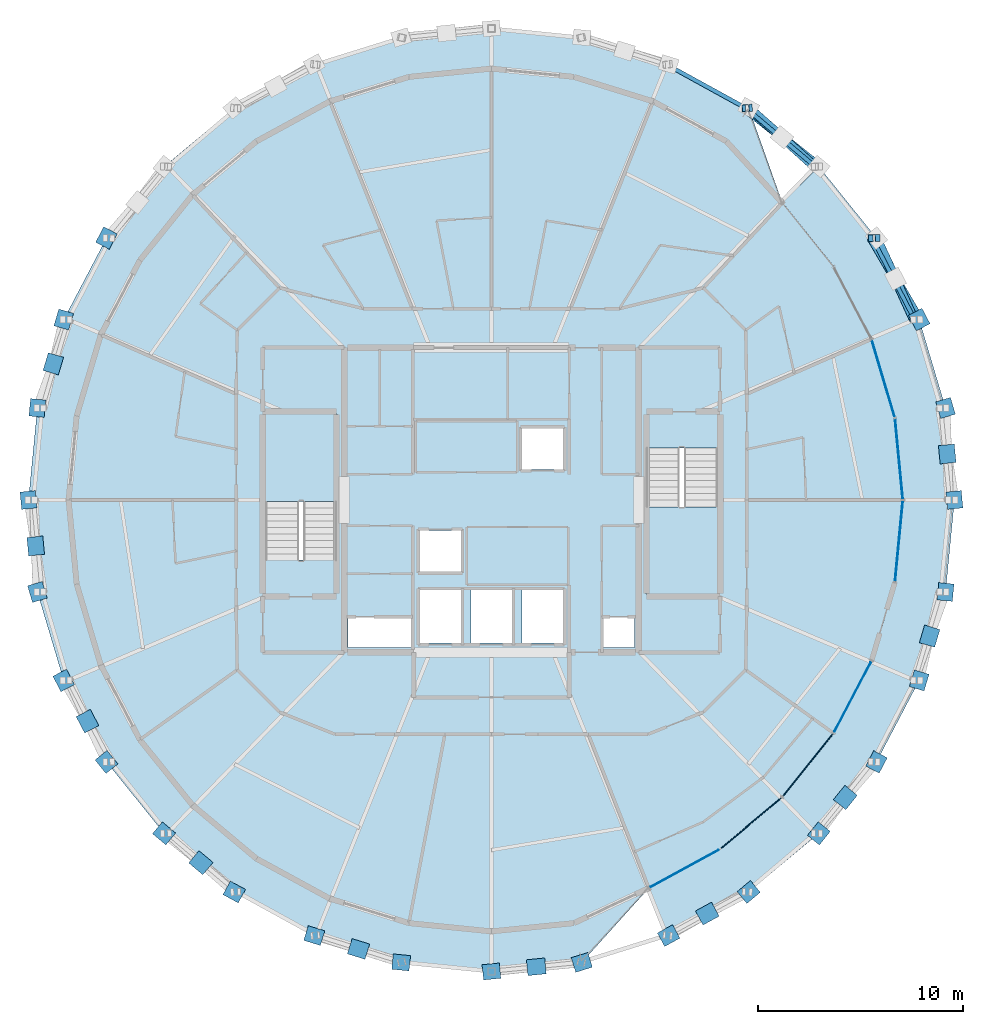
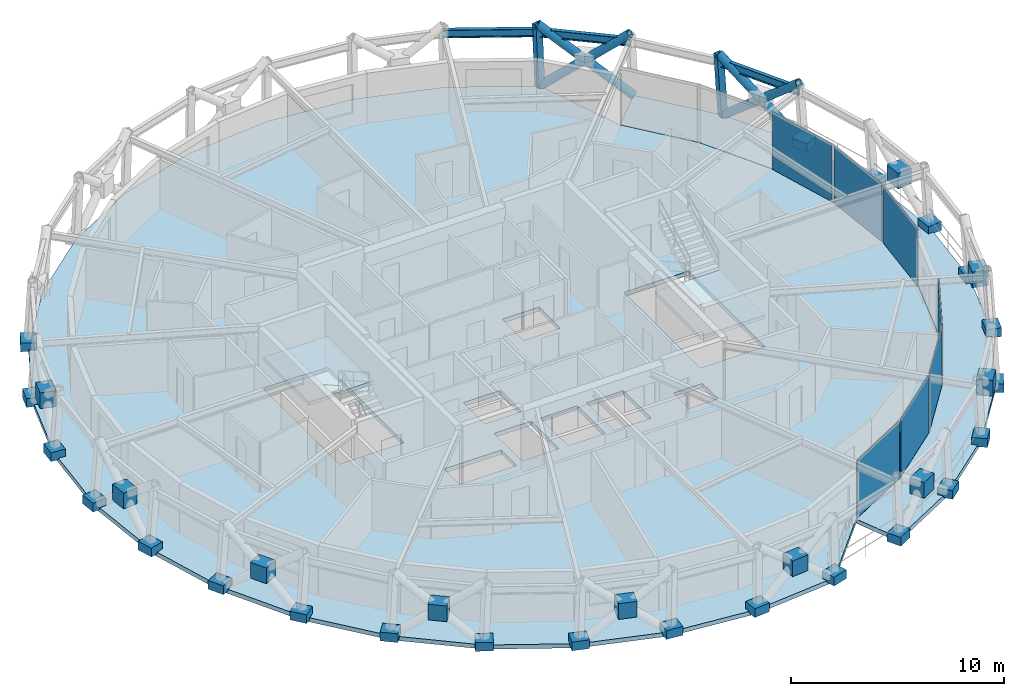
# One storey, part 9 of 15: 39 plates, 8 members, 4 slabs, 3 beams, 4 elements without a shape of their own.
"""IFC4 building model written with IfcOpenShell, lengths in metres."""

from ifc_helpers import new_model, si_unit, direction, frame, origin, origin_2d, place, context, subcontext, project, spatial, polyline, rectangle, hollow_rectangle, hollow_circle, i_section, outline, extrude, material, layer, layer_set, material_profile, profile_set, type_object, element, aggregate, save


model = new_model("IFC4")

# Units and contexts
model_context = context("Model", 3, precision=1e-05, world=origin(), true_north=direction((0.0, 1.0)))
body_context = subcontext(model_context, "Body", "Model", "MODEL_VIEW")
ifc_project = project(units=[si_unit("LENGTHUNIT", "METRE"), si_unit("AREAUNIT", "SQUARE_METRE"), si_unit("VOLUMEUNIT", "CUBIC_METRE"), si_unit("PLANEANGLEUNIT", "RADIAN"), si_unit("MASSUNIT", "GRAM", prefix="KILO")], contexts=[model_context])

# Site, building, storey
site_placement = place(None, origin())
site = spatial("IfcSite", under=ifc_project, at=site_placement, CompositionType="ELEMENT")
building_placement = place(site_placement, origin())
building = spatial("IfcBuilding", under=site, at=building_placement, Name="Veldorina Hangang Commons", CompositionType="ELEMENT")
storey_placement = place(building_placement, frame((0.0, 0.0, 254.39990234375)))
storey = spatial("IfcBuildingStorey", under=building, at=storey_placement, Name="L66", CompositionType="ELEMENT", Elevation=254.39990234375)

# Beams
ifc_material_1 = material(Name="Steel SM355-TMC", Category="steel")
ifc_material_profile_1 = material_profile(ifc_material_1, i_section(OverallWidth=0.199951171875, OverallDepth=0.449951171875, WebThickness=0.009033203125, FlangeThickness=0.013916015625, FilletRadius=0.01611328125, at=origin_2d()), Name="H-450x200x9x14")
ifc_profile_set_1 = profile_set([ifc_material_profile_1], Name="Steel SM355-TMC")
beam_type = type_object("IfcBeamType", Name="BM-RB450", PredefinedType="BEAM", material=ifc_profile_set_1)
beam_1_placement = place(storey_placement, frame((52.684326171875, 32.815185546875, 3.135009765625), z_axis=(-0.460999842905, 0.887400216836, 0.0), x_axis=(-0.887400216836, -0.460999842905, 0.0)))
element("IfcBeam", 1, at=beam_1_placement, inside=storey, type_object=beam_type, Name="L66 perimeter hoop ring beam 02", PredefinedType="BEAM", context=body_context, shape_type="SweptSolid", body=[
    extrude(i_section(OverallWidth=0.199951171875, OverallDepth=0.449951171875, WebThickness=0.009033203125, FlangeThickness=0.013916015625, FilletRadius=0.01611328125, at=origin_2d()), origin(), (0.0, 0.0, 1.0), 4.48779296875),
])
beam_2_placement = place(storey_placement, frame((47.8310546875, 40.2880859375, 3.135009765625), z_axis=(-0.764040756968, 0.645167979438, 0.0), x_axis=(-0.645167979438, -0.764040756968, 0.0)))
element("IfcBeam", 2, at=beam_2_placement, inside=storey, type_object=beam_type, Name="L66 perimeter hoop ring beam 04", PredefinedType="BEAM", context=body_context, shape_type="SweptSolid", body=[
    extrude(i_section(OverallWidth=0.199951171875, OverallDepth=0.449951171875, WebThickness=0.009033203125, FlangeThickness=0.013916015625, FilletRadius=0.01611328125, at=origin_2d()), origin(), (0.0, 0.0, 1.0), 4.4404296875),
])
beam_3_placement = place(storey_placement, frame((44.4384765625, 43.15283203125, 3.135009765625), z_axis=(-0.876245078273, 0.481865710341, 0.0), x_axis=(-0.481865710341, -0.876245078273, 0.0)))
element("IfcBeam", 3, at=beam_3_placement, inside=storey, type_object=beam_type, Name="L66 perimeter hoop ring beam 05", PredefinedType="BEAM", context=body_context, shape_type="SweptSolid", body=[
    extrude(i_section(OverallWidth=0.199951171875, OverallDepth=0.449951171875, WebThickness=0.009033203125, FlangeThickness=0.013916015625, FilletRadius=0.01611328125, at=origin_2d()), origin(), (0.0, 0.0, 1.0), 4.41748046875),
])

# Members
ifc_material_profile_2 = material_profile(ifc_material_1, hollow_circle(Radius=0.22509765625, WallThickness=0.02197265625, at=origin_2d()), Name="CHS-450x22")
ifc_profile_set_2 = profile_set([ifc_material_profile_2], Name="Steel SM355-TMC")
member_type_1 = type_object("IfcMemberType", Name="DG-CHS450", PredefinedType="BRACE", material=ifc_profile_set_2)
member_1_placement = place(storey_placement, frame((52.906982421875, 32.819091796875, 0.0), z_axis=(-0.397106825546, 0.680444299726, 0.615874763305), x_axis=(-0.863678901856, -0.504042413383, 0.0)))
element("IfcMember", 4, at=member_1_placement, inside=storey, type_object=member_type_1, Name="L66 continuous perimeter diagrid brace 02", PredefinedType="BRACE", context=body_context, shape_type="SweptSolid", body=[
    extrude(hollow_circle(Radius=0.22509765625, WallThickness=0.02197265625, at=origin_2d()), origin(), (0.0, 0.0, 1.0), 5.845458984375),
])
member_2_placement = place(storey_placement, frame((50.81591796875, 36.803466796875, 0.0), z_axis=(0.326638682091, -0.700847771615, 0.634128987182), x_axis=(0.90639297023, 0.422435537706, 0.0)))
element("IfcMember", 5, at=member_2_placement, inside=storey, type_object=member_type_1, Name="L66 split perimeter diagrid lower brace 03", PredefinedType="BRACE", context=body_context, shape_type="SweptSolid", body=[
    extrude(hollow_circle(Radius=0.22509765625, WallThickness=0.02197265625, at=origin_2d()), origin(), (0.0, 0.0, 1.0), 2.84326171875),
])
member_3_placement = place(storey_placement, frame((51.74462890625, 34.810791015625, 1.802978515625), z_axis=(0.319838101466, -0.704177747897, 0.633906371807), x_axis=(0.910484651203, 0.413542863467, 0.0)))
element("IfcMember", 6, at=member_3_placement, inside=storey, type_object=member_type_1, Name="L66 split perimeter diagrid upper brace 03", PredefinedType="BRACE", context=body_context, shape_type="SweptSolid", body=[
    extrude(hollow_circle(Radius=0.22509765625, WallThickness=0.02197265625, at=origin_2d()), origin(), (0.0, 0.0, 1.0), 2.8349609375),
])
member_4_placement = place(storey_placement, frame((48.00146484375, 40.295654296875, 0.0), z_axis=(-0.614860502863, 0.490128665246, 0.617835296437), x_axis=(-0.623329474414, -0.781959312449, 0.0)))
element("IfcMember", 7, at=member_4_placement, inside=storey, type_object=member_type_1, Name="L66 continuous perimeter diagrid brace 04", PredefinedType="BRACE", context=body_context, shape_type="SweptSolid", body=[
    extrude(hollow_circle(Radius=0.22509765625, WallThickness=0.02197265625, at=origin_2d()), origin(), (0.0, 0.0, 1.0), 5.826904296875),
])
member_5_placement = place(storey_placement, frame((44.572265625, 43.16162109375, 0.0), z_axis=(0.577486772224, -0.507213348213, 0.639721538876), x_axis=(0.659912681103, 0.751342301031, 0.0)))
element("IfcMember", 8, at=member_5_placement, inside=storey, type_object=member_type_1, Name="L66 split perimeter diagrid lower brace 05", PredefinedType="BRACE", context=body_context, shape_type="SweptSolid", body=[
    extrude(hollow_circle(Radius=0.22509765625, WallThickness=0.02197265625, at=origin_2d()), origin(), (0.0, 0.0, 1.0), 2.824462890625),
])
member_6_placement = place(storey_placement, frame((46.203369140625, 41.72900390625, 1.806884765625), z_axis=(0.571504831347, -0.514215041733, 0.639503806558), x_axis=(0.668864613544, 0.743384240315, 0.0)))
element("IfcMember", 9, at=member_6_placement, inside=storey, type_object=member_type_1, Name="L66 split perimeter diagrid upper brace 05", PredefinedType="BRACE", context=body_context, shape_type="SweptSolid", body=[
    extrude(hollow_circle(Radius=0.22509765625, WallThickness=0.02197265625, at=origin_2d()), origin(), (0.0, 0.0, 1.0), 2.803955078125),
])
ifc_material_profile_3 = material_profile(ifc_material_1, hollow_rectangle(XDim=0.35009765625, YDim=0.35009765625, WallThickness=0.01611328125, at=origin_2d()), Name="SHS-350x350x16")
ifc_profile_set_3 = profile_set([ifc_material_profile_3], Name="Steel SM355-TMC")
member_type_2 = type_object("IfcMemberType", Name="STR-SHS350", PredefinedType="STRUT", material=ifc_profile_set_3)
member_7_placement = place(storey_placement, frame((50.81591796875, 36.803466796875, 0.0), z_axis=(-0.063819068512, -0.001894945831, 0.997959686398), x_axis=(0.029679390409, -0.999559469859, 0.0)))
element("IfcMember", 10, at=member_7_placement, inside=storey, type_object=member_type_2, Name="L66 perimeter ring node post 03", PredefinedType="STRUT", context=body_context, shape_type="SweptSolid", body=[
    extrude(hollow_rectangle(XDim=0.35009765625, YDim=0.35009765625, WallThickness=0.01611328125, at=origin_2d()), origin(), (0.0, 0.0, 1.0), 3.607421875),
])
member_8_placement = place(storey_placement, frame((44.572265625, 43.16162109375, 0.0), z_axis=(-0.04261671784, -0.002777878269, 0.99908763317), x_axis=(0.065044795148, -0.997882345081, 0.0)))
element("IfcMember", 11, at=member_8_placement, inside=storey, type_object=member_type_2, Name="L66 perimeter ring node post 05", PredefinedType="STRUT", context=body_context, shape_type="SweptSolid", body=[
    extrude(hollow_rectangle(XDim=0.35009765625, YDim=0.35009765625, WallThickness=0.01611328125, at=origin_2d()), origin(), (0.0, 0.0, 1.0), 3.603271484375),
])

# Curtain wall, plates
ifc_material_2 = material(Name="Glass Low-E Selective", Category="glass")
ifc_layer_1 = layer(ifc_material_2, 0.179931640625)
ifc_layer_set_1 = layer_set([ifc_layer_1], Name="Glass Low-E Selective")
curtain_wall_type = type_object("IfcCurtainWallType", Name="CW-SYS-Z3", PredefinedType="NOTDEFINED", material=ifc_layer_set_1)
curtain_wall_1_placement = place(storey_placement, origin())
curtain_wall_1 = element("IfcCurtainWall", 12, at=curtain_wall_1_placement, inside=storey, type_object=curtain_wall_type, Name="L66 unitised curtain wall CW-L66-R1", PredefinedType="NOTDEFINED")
ifc_material_3 = material(Name="Glass Low-E Triple IGU", Category="glass")
ifc_layer_2 = layer(ifc_material_3, 0.0400390625)
ifc_layer_set_2 = layer_set([ifc_layer_2], Name="Glass Low-E Triple IGU")
plate_type_1 = type_object("IfcPlateType", Name="CW-PNL-VIS", PredefinedType="CURTAIN_PANEL", material=ifc_layer_set_2)
plate_1_placement = place(storey_placement, frame((41.433837890625, 5.9853515625, 0.01513671875), z_axis=(0.0, 0.0, 1.0), x_axis=(0.877849265212, 0.478937018372, 0.0)))
plate_1 = element("IfcPlate", 13, at=plate_1_placement, type_object=plate_type_1, Name="CW-L66-R1 facet 1 glazed vision panel", PredefinedType="CURTAIN_PANEL", context=body_context, shape_type="SweptSolid", body=[
    extrude(rectangle(XDim=3.780517578125, YDim=0.0400390625, at=origin_2d()), origin(), (0.0, 0.0, 1.0), 3.2900390625),
])
plate_2_placement = place(storey_placement, frame((44.69580078125, 8.2099609375, 0.01513671875), z_axis=(0.0, 0.0, 1.0), x_axis=(0.766582674725, 0.642145624303, 0.0)))
plate_2 = element("IfcPlate", 14, at=plate_2_placement, type_object=plate_type_1, Name="CW-L66-R1 facet 2 glazed vision panel", PredefinedType="CURTAIN_PANEL", context=body_context, shape_type="SweptSolid", body=[
    extrude(rectangle(XDim=3.795166015625, YDim=0.0400390625, at=origin_2d()), origin(), (0.0, 0.0, 1.0), 3.2900390625),
])
plate_3_placement = place(storey_placement, frame((47.47021484375, 11.04150390625, 0.01513671875), z_axis=(0.0, 0.0, 1.0), x_axis=(0.62663101501, 0.779316091857, 0.0)))
plate_3 = element("IfcPlate", 15, at=plate_3_placement, type_object=plate_type_1, Name="CW-L66-R1 facet 3 glazed vision panel", PredefinedType="CURTAIN_PANEL", context=body_context, shape_type="SweptSolid", body=[
    extrude(rectangle(XDim=3.81103515625, YDim=0.0400390625, at=origin_2d()), origin(), (0.0, 0.0, 1.0), 3.2900390625),
])
plate_4_placement = place(storey_placement, frame((49.649658203125, 14.370849609375, 0.01513671875), z_axis=(0.0, 0.0, 1.0), x_axis=(0.463914608979, 0.885879921646, 0.0)))
plate_4 = element("IfcPlate", 16, at=plate_4_placement, type_object=plate_type_1, Name="CW-L66-R1 facet 4 glazed vision panel", PredefinedType="CURTAIN_PANEL", context=body_context, shape_type="SweptSolid", body=[
    extrude(rectangle(XDim=3.82568359375, YDim=0.0400390625, at=origin_2d()), origin(), (0.0, 0.0, 1.0), 3.2900390625),
])
aggregate(curtain_wall_1, [plate_1, plate_2, plate_3, plate_4])

curtain_wall_2_placement = place(storey_placement, origin())
curtain_wall_2 = element("IfcCurtainWall", 17, at=curtain_wall_2_placement, inside=storey, type_object=curtain_wall_type, Name="L66 unitised curtain wall CW-L66-R2", PredefinedType="NOTDEFINED")
plate_5_placement = place(storey_placement, frame((51.91650390625, 21.997802734375, 0.01513671875), z_axis=(0.0, 0.0, 1.0), x_axis=(0.096054225709, 0.995376102648, 0.0)))
plate_5 = element("IfcPlate", 18, at=plate_5_placement, type_object=plate_type_1, Name="CW-L66-R2 facet 1 glazed vision panel", PredefinedType="CURTAIN_PANEL", context=body_context, shape_type="SweptSolid", body=[
    extrude(rectangle(XDim=3.843017578125, YDim=0.0400390625, at=origin_2d()), origin(), (0.0, 0.0, 1.0), 3.2900390625),
])
plate_6_placement = place(storey_placement, frame((51.91650390625, 26.002197265625, 0.01513671875), z_axis=(0.0, 0.0, 1.0), x_axis=(-0.096054225709, 0.995376102648, 0.0)))
plate_6 = element("IfcPlate", 19, at=plate_6_placement, type_object=plate_type_1, Name="CW-L66-R2 facet 2 glazed vision panel", PredefinedType="CURTAIN_PANEL", context=body_context, shape_type="SweptSolid", body=[
    extrude(rectangle(XDim=3.843017578125, YDim=0.0400390625, at=origin_2d()), origin(), (0.0, 0.0, 1.0), 3.2900390625),
])
plate_7_placement = place(storey_placement, frame((51.15087890625, 29.929443359375, 0.01513671875), z_axis=(0.0, 0.0, 1.0), x_axis=(-0.284885424803, 0.95856157587, 0.0)))
plate_7 = element("IfcPlate", 20, at=plate_7_placement, type_object=plate_type_1, Name="CW-L66-R2 facet 3 glazed vision panel", PredefinedType="CURTAIN_PANEL", context=body_context, shape_type="SweptSolid", body=[
    extrude(rectangle(XDim=3.8369140625, YDim=0.0400390625, at=origin_2d()), origin(), (0.0, 0.0, 1.0), 3.2900390625),
])
aggregate(curtain_wall_2, [plate_5, plate_6, plate_7])

# Plates
ifc_material_4 = material(Name="Steel SM460-TMC", Category="steel")
ifc_layer_3 = layer(ifc_material_4, 0.035888671875)
ifc_layer_set_3 = layer_set([ifc_layer_3], Name="Steel SM460-TMC")
plate_type_2 = type_object("IfcPlateType", Name="PL-STAR-36", PredefinedType="USERDEFINED", material=ifc_layer_set_3)
plate_8_placement = place(storey_placement, frame((54.629638671875, 24.0, -0.08984375), z_axis=(0.0, 0.0, 1.0), x_axis=(-0.096262694684, 0.995355963267, 0.0)))
element("IfcPlate", 21, at=plate_8_placement, inside=storey, type_object=plate_type_2, Name="L66 diagrid star-node gusset plate 00", ObjectType="GUSSET PLATE", PredefinedType="USERDEFINED", context=body_context, shape_type="SweptSolid", body=[
    extrude(rectangle(XDim=0.85009765625, YDim=0.75, at=origin_2d()), origin(), (0.0, 0.0, 1.0), 0.5),
])
plate_9_placement = place(storey_placement, frame((54.2763671875, 26.24755859375, 1.350830078125), z_axis=(0.0, 0.0, 1.0), x_axis=(-0.096262694684, 0.995355963267, 0.0)))
element("IfcPlate", 22, at=plate_9_placement, inside=storey, type_object=plate_type_2, Name="L66 diagrid X-crossing star-node gusset plate 00", ObjectType="GUSSET PLATE", PredefinedType="USERDEFINED", context=body_context, shape_type="SweptSolid", body=[
    extrude(rectangle(XDim=0.89990234375, YDim=0.780029296875, at=origin_2d()), origin(), (0.0, 0.0, 1.0), 0.89990234375),
])
for number, where, z_axis, x_axis, name in (
    (23, (54.19482421875, 28.49609375, -0.08984375), (0.0, 0.0, 1.0), (-0.28548765053, 0.958382387878, 0.0), "L66 diagrid star-node gusset plate 01"),
    (24, (52.906982421875, 32.819091796875, -0.08984375), (0.0, 0.0, 1.0), (-0.464733871018, 0.885450410316, 0.0), "L66 diagrid star-node gusset plate 02"),
    (25, (13.18408203125, 36.803466796875, -0.08984375), (0.0, 0.0, 1.0), (-0.464733871018, -0.885450410316, 0.0), "L66 diagrid star-node gusset plate 13"),
    (26, (11.093017578125, 32.819091796875, -0.08984375), (0.0, 0.0, 1.0), (-0.28548765053, -0.958382387878, 0.0), "L66 diagrid star-node gusset plate 14"),
):
    element("IfcPlate", number, at=place(storey_placement, frame(where, z_axis=z_axis, x_axis=x_axis)), inside=storey, type_object=plate_type_2, Name=name, ObjectType="GUSSET PLATE", PredefinedType="USERDEFINED", context=body_context, shape_type="SweptSolid", body=[
        extrude(rectangle(XDim=0.85009765625, YDim=0.75, at=origin_2d()), origin(), (0.0, 0.0, 1.0), 0.5),
    ])
plate_10_placement = place(storey_placement, frame((10.58447265625, 30.65478515625, 1.3515625), z_axis=(0.0, 0.0, 1.0), x_axis=(-0.28548765053, -0.958382387878, 0.0)))
element("IfcPlate", 27, at=plate_10_placement, inside=storey, type_object=plate_type_2, Name="L66 diagrid X-crossing star-node gusset plate 14", ObjectType="GUSSET PLATE", PredefinedType="USERDEFINED", context=body_context, shape_type="SweptSolid", body=[
    extrude(rectangle(XDim=0.89990234375, YDim=0.780029296875, at=origin_2d()), origin(), (0.0, 0.0, 1.0), 0.89990234375),
])
for number, where, z_axis, x_axis, name in (
    (28, (9.80517578125, 28.49609375, -0.08984375), (0.0, 0.0, 1.0), (-0.096262694684, -0.995355963267, 0.0), "L66 diagrid star-node gusset plate 15"),
    (29, (9.370361328125, 24.0, -0.08984375), (0.0, 0.0, 1.0), (0.096262694684, -0.995355963267, 0.0), "L66 diagrid star-node gusset plate 16"),
):
    element("IfcPlate", number, at=place(storey_placement, frame(where, z_axis=z_axis, x_axis=x_axis)), inside=storey, type_object=plate_type_2, Name=name, ObjectType="GUSSET PLATE", PredefinedType="USERDEFINED", context=body_context, shape_type="SweptSolid", body=[
        extrude(rectangle(XDim=0.85009765625, YDim=0.75, at=origin_2d()), origin(), (0.0, 0.0, 1.0), 0.5),
    ])
plate_11_placement = place(storey_placement, frame((9.7236328125, 21.75244140625, 1.350830078125), z_axis=(0.0, 0.0, 1.0), x_axis=(0.096262694684, -0.995355963267, 0.0)))
element("IfcPlate", 30, at=plate_11_placement, inside=storey, type_object=plate_type_2, Name="L66 diagrid X-crossing star-node gusset plate 16", ObjectType="GUSSET PLATE", PredefinedType="USERDEFINED", context=body_context, shape_type="SweptSolid", body=[
    extrude(rectangle(XDim=0.89990234375, YDim=0.780029296875, at=origin_2d()), origin(), (0.0, 0.0, 1.0), 0.89990234375),
])
for number, where, z_axis, x_axis, name in (
    (31, (9.80517578125, 19.50390625, -0.08984375), (0.0, 0.0, 1.0), (0.28548765053, -0.958382387878, 0.0), "L66 diagrid star-node gusset plate 17"),
    (32, (11.093017578125, 15.180908203125, -0.08984375), (0.0, 0.0, 1.0), (0.464733871018, -0.885450410316, 0.0), "L66 diagrid star-node gusset plate 18"),
):
    element("IfcPlate", number, at=place(storey_placement, frame(where, z_axis=z_axis, x_axis=x_axis)), inside=storey, type_object=plate_type_2, Name=name, ObjectType="GUSSET PLATE", PredefinedType="USERDEFINED", context=body_context, shape_type="SweptSolid", body=[
        extrude(rectangle(XDim=0.85009765625, YDim=0.75, at=origin_2d()), origin(), (0.0, 0.0, 1.0), 0.5),
    ])
plate_12_placement = place(storey_placement, frame((12.25537109375, 13.189208984375, 1.35302734375), z_axis=(0.0, 0.0, 1.0), x_axis=(0.464733871018, -0.885450410316, 0.0)))
element("IfcPlate", 33, at=plate_12_placement, inside=storey, type_object=plate_type_2, Name="L66 diagrid X-crossing star-node gusset plate 18", ObjectType="GUSSET PLATE", PredefinedType="USERDEFINED", context=body_context, shape_type="SweptSolid", body=[
    extrude(rectangle(XDim=0.89990234375, YDim=0.780029296875, at=origin_2d()), origin(), (0.0, 0.0, 1.0), 0.89990234375),
])
for number, where, z_axis, x_axis, name in (
    (34, (13.18408203125, 11.196533203125, -0.08984375), (0.0, 0.0, 1.0), (0.627487538828, -0.778626604102, 0.0), "L66 diagrid star-node gusset plate 19"),
    (35, (15.99853515625, 7.704345703125, -0.08984375), (0.0, 0.0, 1.0), (0.767299479885, -0.641288942808, 0.0), "L66 diagrid star-node gusset plate 20"),
):
    element("IfcPlate", number, at=place(storey_placement, frame(where, z_axis=z_axis, x_axis=x_axis)), inside=storey, type_object=plate_type_2, Name=name, ObjectType="GUSSET PLATE", PredefinedType="USERDEFINED", context=body_context, shape_type="SweptSolid", body=[
        extrude(rectangle(XDim=0.85009765625, YDim=0.75, at=origin_2d()), origin(), (0.0, 0.0, 1.0), 0.5),
    ])
plate_13_placement = place(storey_placement, frame((17.796630859375, 6.27099609375, 1.35693359375), z_axis=(0.0, 0.0, 1.0), x_axis=(0.767299479885, -0.641288942808, 0.0)))
element("IfcPlate", 36, at=plate_13_placement, inside=storey, type_object=plate_type_2, Name="L66 diagrid X-crossing star-node gusset plate 20", ObjectType="GUSSET PLATE", PredefinedType="USERDEFINED", context=body_context, shape_type="SweptSolid", body=[
    extrude(rectangle(XDim=0.89990234375, YDim=0.780029296875, at=origin_2d()), origin(), (0.0, 0.0, 1.0), 0.89990234375),
])
for number, where, z_axis, x_axis, name in (
    (37, (19.427734375, 4.83837890625, -0.08984375), (0.0, 0.0, 1.0), (0.878300262769, -0.478109452342, 0.0), "L66 diagrid star-node gusset plate 21"),
    (38, (23.340087890625, 2.708740234375, -0.08984375), (0.0, 0.0, 1.0), (0.955448519277, -0.295157800188, 0.0), "L66 diagrid star-node gusset plate 22"),
):
    element("IfcPlate", number, at=place(storey_placement, frame(where, z_axis=z_axis, x_axis=x_axis)), inside=storey, type_object=plate_type_2, Name=name, ObjectType="GUSSET PLATE", PredefinedType="USERDEFINED", context=body_context, shape_type="SweptSolid", body=[
        extrude(rectangle(XDim=0.85009765625, YDim=0.75, at=origin_2d()), origin(), (0.0, 0.0, 1.0), 0.5),
    ])
plate_14_placement = place(storey_placement, frame((25.501708984375, 2.055419921875, 1.3603515625), z_axis=(0.0, 0.0, 1.0), x_axis=(0.955448519277, -0.295157800188, 0.0)))
element("IfcPlate", 39, at=plate_14_placement, inside=storey, type_object=plate_type_2, Name="L66 diagrid X-crossing star-node gusset plate 22", ObjectType="GUSSET PLATE", PredefinedType="USERDEFINED", context=body_context, shape_type="SweptSolid", body=[
    extrude(rectangle(XDim=0.89990234375, YDim=0.780029296875, at=origin_2d()), origin(), (0.0, 0.0, 1.0), 0.89990234375),
])
for number, where, z_axis, x_axis, name in (
    (40, (27.585205078125, 1.397216796875, -0.08984375), (0.0, 0.0, 1.0), (0.995006914357, -0.099806013751, 0.0), "L66 diagrid star-node gusset plate 23"),
    (41, (32.0, 0.95458984375, -0.08984375), (0.0, 0.0, 1.0), (0.995006914357, 0.099806013751, 0.0), "L66 diagrid star-node gusset plate 24"),
):
    element("IfcPlate", number, at=place(storey_placement, frame(where, z_axis=z_axis, x_axis=x_axis)), inside=storey, type_object=plate_type_2, Name=name, ObjectType="GUSSET PLATE", PredefinedType="USERDEFINED", context=body_context, shape_type="SweptSolid", body=[
        extrude(rectangle(XDim=0.85009765625, YDim=0.75, at=origin_2d()), origin(), (0.0, 0.0, 1.0), 0.5),
    ])
plate_15_placement = place(storey_placement, frame((34.193603515625, 1.183349609375, 1.361083984375), z_axis=(0.0, 0.0, 1.0), x_axis=(0.995006914357, 0.099806013751, 0.0)))
element("IfcPlate", 42, at=plate_15_placement, inside=storey, type_object=plate_type_2, Name="L66 diagrid X-crossing star-node gusset plate 24", ObjectType="GUSSET PLATE", PredefinedType="USERDEFINED", context=body_context, shape_type="SweptSolid", body=[
    extrude(rectangle(XDim=0.89990234375, YDim=0.780029296875, at=origin_2d()), origin(), (0.0, 0.0, 1.0), 0.89990234375),
])
for number, where, z_axis, x_axis, name in (
    (43, (36.414794921875, 1.397216796875, -0.08984375), (0.0, 0.0, 1.0), (0.955448519277, 0.295157800188, 0.0), "L66 diagrid star-node gusset plate 25"),
    (44, (40.659912109375, 2.708740234375, -0.08984375), (0.0, 0.0, 1.0), (0.878300262769, 0.478109452342, 0.0), "L66 diagrid star-node gusset plate 26"),
):
    element("IfcPlate", number, at=place(storey_placement, frame(where, z_axis=z_axis, x_axis=x_axis)), inside=storey, type_object=plate_type_2, Name=name, ObjectType="GUSSET PLATE", PredefinedType="USERDEFINED", context=body_context, shape_type="SweptSolid", body=[
        extrude(rectangle(XDim=0.85009765625, YDim=0.75, at=origin_2d()), origin(), (0.0, 0.0, 1.0), 0.5),
    ])
plate_16_placement = place(storey_placement, frame((42.54833984375, 3.78369140625, 1.358642578125), z_axis=(0.0, 0.0, 1.0), x_axis=(0.878300262769, 0.478109452342, 0.0)))
element("IfcPlate", 45, at=plate_16_placement, inside=storey, type_object=plate_type_2, Name="L66 diagrid X-crossing star-node gusset plate 26", ObjectType="GUSSET PLATE", PredefinedType="USERDEFINED", context=body_context, shape_type="SweptSolid", body=[
    extrude(rectangle(XDim=0.89990234375, YDim=0.780029296875, at=origin_2d()), origin(), (0.0, 0.0, 1.0), 0.89990234375),
])
for number, where, z_axis, x_axis, name in (
    (46, (44.572265625, 4.83837890625, -0.08984375), (0.0, 0.0, 1.0), (0.767299479885, 0.641288942808, 0.0), "L66 diagrid star-node gusset plate 27"),
    (47, (48.00146484375, 7.704345703125, -0.08984375), (0.0, 0.0, 1.0), (0.627487538828, 0.778626604102, 0.0), "L66 diagrid star-node gusset plate 28"),
):
    element("IfcPlate", number, at=place(storey_placement, frame(where, z_axis=z_axis, x_axis=x_axis)), inside=storey, type_object=plate_type_2, Name=name, ObjectType="GUSSET PLATE", PredefinedType="USERDEFINED", context=body_context, shape_type="SweptSolid", body=[
        extrude(rectangle(XDim=0.85009765625, YDim=0.75, at=origin_2d()), origin(), (0.0, 0.0, 1.0), 0.5),
    ])
plate_17_placement = place(storey_placement, frame((49.296875, 9.45849609375, 1.354736328125), z_axis=(0.0, 0.0, 1.0), x_axis=(0.627487538828, 0.778626604102, 0.0)))
element("IfcPlate", 48, at=plate_17_placement, inside=storey, type_object=plate_type_2, Name="L66 diagrid X-crossing star-node gusset plate 28", ObjectType="GUSSET PLATE", PredefinedType="USERDEFINED", context=body_context, shape_type="SweptSolid", body=[
    extrude(rectangle(XDim=0.89990234375, YDim=0.780029296875, at=origin_2d()), origin(), (0.0, 0.0, 1.0), 0.89990234375),
])
for number, where, z_axis, x_axis, name in (
    (49, (50.81591796875, 11.196533203125, -0.08984375), (0.0, 0.0, 1.0), (0.464733871018, 0.885450410316, 0.0), "L66 diagrid star-node gusset plate 29"),
    (50, (52.906982421875, 15.180908203125, -0.08984375), (0.0, 0.0, 1.0), (0.28548765053, 0.958382387878, 0.0), "L66 diagrid star-node gusset plate 30"),
):
    element("IfcPlate", number, at=place(storey_placement, frame(where, z_axis=z_axis, x_axis=x_axis)), inside=storey, type_object=plate_type_2, Name=name, ObjectType="GUSSET PLATE", PredefinedType="USERDEFINED", context=body_context, shape_type="SweptSolid", body=[
        extrude(rectangle(XDim=0.85009765625, YDim=0.75, at=origin_2d()), origin(), (0.0, 0.0, 1.0), 0.5),
    ])
plate_18_placement = place(storey_placement, frame((53.41552734375, 17.34521484375, 1.3515625), z_axis=(0.0, 0.0, 1.0), x_axis=(0.28548765053, 0.958382387878, 0.0)))
element("IfcPlate", 51, at=plate_18_placement, inside=storey, type_object=plate_type_2, Name="L66 diagrid X-crossing star-node gusset plate 30", ObjectType="GUSSET PLATE", PredefinedType="USERDEFINED", context=body_context, shape_type="SweptSolid", body=[
    extrude(rectangle(XDim=0.89990234375, YDim=0.780029296875, at=origin_2d()), origin(), (0.0, 0.0, 1.0), 0.89990234375),
])
plate_19_placement = place(storey_placement, frame((54.19482421875, 19.50390625, -0.08984375), z_axis=(0.0, 0.0, 1.0), x_axis=(0.096262694684, 0.995355963267, 0.0)))
element("IfcPlate", 52, at=plate_19_placement, inside=storey, type_object=plate_type_2, Name="L66 diagrid star-node gusset plate 31", ObjectType="GUSSET PLATE", PredefinedType="USERDEFINED", context=body_context, shape_type="SweptSolid", body=[
    extrude(rectangle(XDim=0.85009765625, YDim=0.75, at=origin_2d()), origin(), (0.0, 0.0, 1.0), 0.5),
])

# Slabs
ifc_material_5 = material(Name="Concrete C40/50", Category="concrete")
ifc_layer_4 = layer(ifc_material_5, 0.239990234375)
ifc_layer_set_4 = layer_set([ifc_layer_4], Name="Concrete C40/50")
slab_type_1 = type_object("IfcSlabType", Name="SL-FLR-240", PredefinedType="FLOOR", material=ifc_layer_set_4)
slab_1_placement = place(storey_placement, frame((0.0, 0.0, -0.239990234375)))
element("IfcSlab", 53, at=slab_1_placement, inside=storey, type_object=slab_type_1, Name="L66 tower structural floor slab", PredefinedType="FLOOR", context=body_context, shape_type="SweptSolid", body=[
    extrude(outline(polyline([(52.109619140625, 24.0), (51.72314453125, 28.00439453125), (50.578857421875, 31.854736328125), (48.720458984375, 35.4033203125), (46.219482421875, 38.513671875), (44.572265625, 43.16162109375), (40.659912109375, 45.291259765625), (36.414794921875, 46.602783203125), (32.0, 47.04541015625), (27.585205078125, 46.602783203125), (23.340087890625, 45.291259765625), (19.427734375, 43.16162109375), (15.99853515625, 40.295654296875), (13.18408203125, 36.803466796875), (11.093017578125, 32.819091796875), (9.80517578125, 28.49609375), (9.370361328125, 24.0), (9.80517578125, 19.50390625), (11.093017578125, 15.180908203125), (13.18408203125, 11.196533203125), (15.99853515625, 7.704345703125), (19.427734375, 4.83837890625), (23.340087890625, 2.708740234375), (27.585205078125, 1.397216796875), (32.0, 0.95458984375), (36.414794921875, 1.397216796875), (39.695556640625, 5.036865234375), (43.17236328125, 6.93359375), (46.219482421875, 9.486328125), (48.720458984375, 12.5966796875), (50.578857421875, 16.145263671875), (51.72314453125, 19.99560546875), (52.109619140625, 24.0)]), holes=[polyline([(20.949951171875, 21.05810546875), (20.949951171875, 28.199951171875), (24.449951171875, 28.199951171875), (24.449951171875, 21.05810546875), (20.949951171875, 21.05810546875)]), polyline([(43.050048828125, 26.5419921875), (43.050048828125, 19.39990234375), (39.550048828125, 19.39990234375), (39.550048828125, 26.5419921875), (43.050048828125, 26.5419921875)]), polyline([(33.5, 27.5), (35.5, 27.5), (35.5, 25.5), (33.5, 25.5), (33.5, 27.5)]), polyline([(28.5, 22.5), (30.5, 22.5), (30.5, 20.5), (28.5, 20.5), (28.5, 22.5)]), polyline([(28.5, 19.60009765625), (30.5, 19.60009765625), (30.5, 17.0), (28.5, 17.0), (28.5, 19.60009765625)]), polyline([(31.0, 19.60009765625), (33.0, 19.60009765625), (33.0, 17.0), (31.0, 17.0), (31.0, 19.60009765625)]), polyline([(33.5, 19.60009765625), (35.5, 19.60009765625), (35.5, 17.0), (33.5, 17.0), (33.5, 19.60009765625)]), polyline([(25.0, 18.25), (28.10009765625, 18.25), (28.10009765625, 16.800048828125), (25.0, 16.800048828125), (25.0, 18.25)]), polyline([(37.449951171875, 18.25), (39.0, 18.25), (39.0, 16.800048828125), (37.449951171875, 16.800048828125), (37.449951171875, 18.25)])]), origin(), (0.0, 0.0, 1.0), 0.239990234375),
])
slab_2_placement = place(storey_placement, frame((0.0, 0.0, -0.239990234375)))
element("IfcSlab", 54, at=slab_2_placement, inside=storey, type_object=slab_type_1, Name="L66 sky-garden loggia outdoor slab", PredefinedType="FLOOR", context=body_context, shape_type="SweptSolid", body=[
    extrude(outline(polyline([(48.00146484375, 40.295654296875), (50.81591796875, 36.803466796875), (52.906982421875, 32.819091796875), (54.19482421875, 28.49609375), (54.629638671875, 24.0), (54.19482421875, 19.50390625), (52.906982421875, 15.180908203125), (50.81591796875, 11.196533203125), (48.00146484375, 7.704345703125), (44.572265625, 4.83837890625), (40.659912109375, 2.708740234375), (39.701904296875, 5.021484375), (39.705078125, 5.02490234375), (43.179443359375, 6.92041015625), (43.1806640625, 6.92138671875), (43.181884765625, 6.922119140625), (46.229248046875, 9.474853515625), (46.230224609375, 9.475830078125), (46.231201171875, 9.476806640625), (48.732177734375, 12.587158203125), (48.73291015625, 12.58837890625), (48.73388671875, 12.589599609375), (50.592041015625, 16.13818359375), (50.5927734375, 16.1396484375), (50.59326171875, 16.140869140625), (51.737548828125, 19.991455078125), (51.73779296875, 19.992919921875), (51.738037109375, 19.994384765625), (52.12451171875, 23.99853515625), (52.12451171875, 24.0), (52.12451171875, 24.00146484375), (51.738037109375, 28.005615234375), (51.73779296875, 28.007080078125), (51.737548828125, 28.008544921875), (50.59326171875, 31.859130859375), (50.5927734375, 31.8603515625), (50.592041015625, 31.86181640625), (48.73388671875, 35.410400390625), (48.73291015625, 35.41162109375), (48.732177734375, 35.412841796875), (46.23291015625, 38.52099609375), (46.231201171875, 38.525390625), (48.00146484375, 40.295654296875)])), origin(), (0.0, 0.0, 1.0), 0.239990234375),
])

# Stair, slab
stair_type = type_object("IfcStairType", Name="STR-DOG-1650-20R", PredefinedType="HALF_TURN_STAIR", material=ifc_material_5)
stair_1_placement = place(storey_placement, origin())
stair_1 = element("IfcStair", 55, at=stair_1_placement, inside=storey, type_object=stair_type, Name="L66 Exit stair ST-1", PredefinedType="HALF_TURN_STAIR")
ifc_layer_5 = layer(ifc_material_5, 0.199951171875)
ifc_layer_set_5 = layer_set([ifc_layer_5], Name="Concrete C40/50")
slab_type_2 = type_object("IfcSlabType", Name="SL-LND-200", PredefinedType="LANDING", material=ifc_layer_set_5)
slab_3_placement = place(storey_placement, frame((0.0, 0.0, 1.60009765625)))
slab_3 = element("IfcSlab", 56, at=slab_3_placement, type_object=slab_type_2, Name="ST-1 landing 1", PredefinedType="LANDING", context=body_context, shape_type="SweptSolid", body=[
    extrude(outline(polyline([(24.449951171875, 23.929931640625), (24.449951171875, 28.199951171875), (20.949951171875, 28.199951171875), (20.949951171875, 23.929931640625), (24.449951171875, 23.929931640625)])), origin(), (0.0, 0.0, 1.0), 0.199951171875),
])
aggregate(stair_1, [slab_3])

stair_2_placement = place(storey_placement, origin())
stair_2 = element("IfcStair", 57, at=stair_2_placement, inside=storey, type_object=stair_type, Name="L66 Exit stair ST-2", PredefinedType="HALF_TURN_STAIR")
slab_4_placement = place(storey_placement, frame((0.0, 0.0, 1.60009765625)))
slab_4 = element("IfcSlab", 58, at=slab_4_placement, type_object=slab_type_2, Name="ST-2 landing 1", PredefinedType="LANDING", context=body_context, shape_type="SweptSolid", body=[
    extrude(outline(polyline([(39.550048828125, 23.669921875), (39.550048828125, 19.39990234375), (43.050048828125, 19.39990234375), (43.050048828125, 23.669921875), (39.550048828125, 23.669921875)])), origin(), (0.0, 0.0, 1.0), 0.199951171875),
])
aggregate(stair_2, [slab_4])

save(model, "model.ifc")
